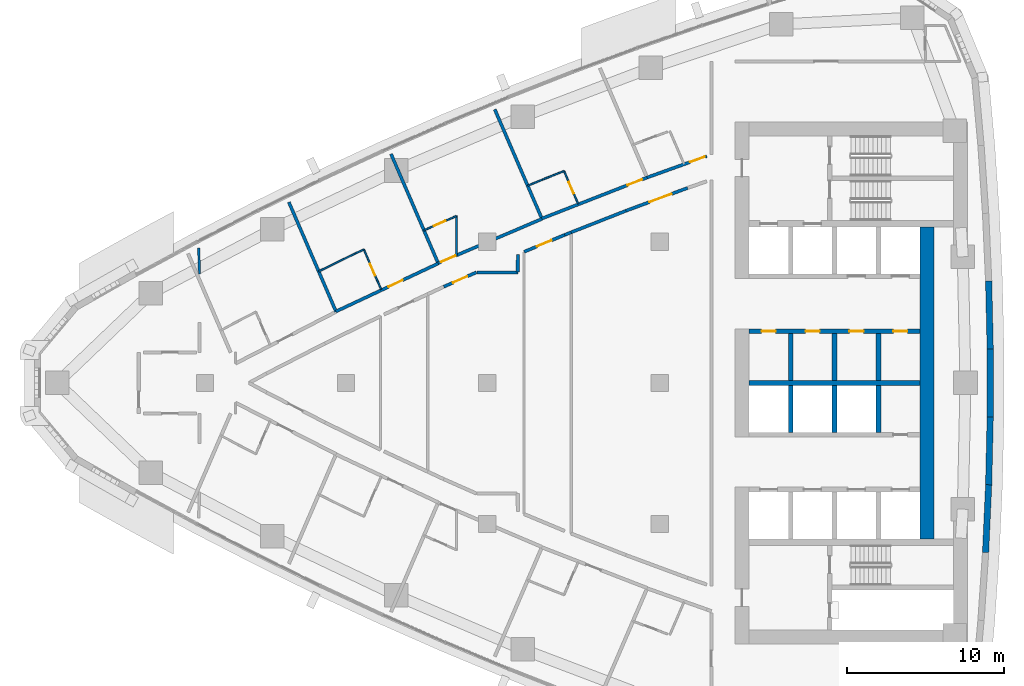
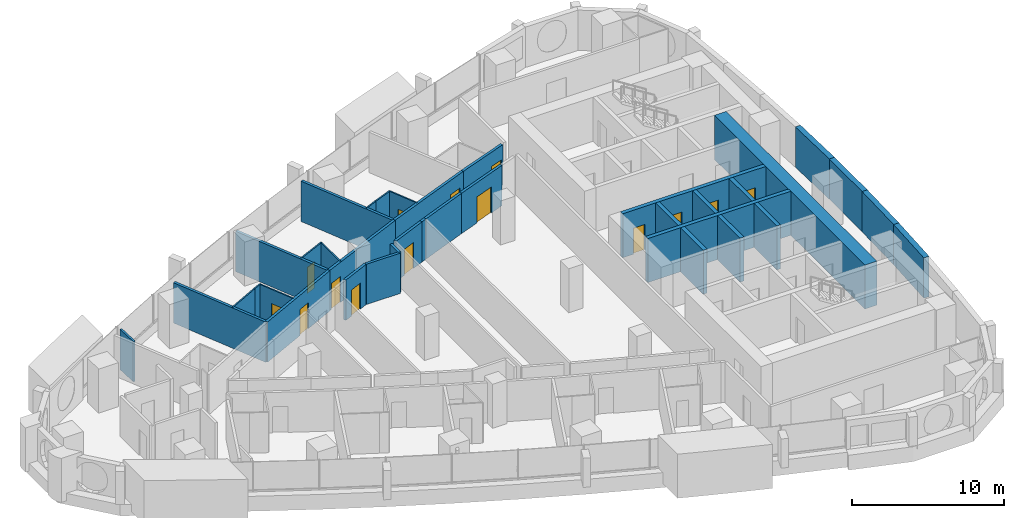
# One storey, part 11 of 17: 36 walls, 14 doors, 14 openings.
"""IFC4 building model written with IfcOpenShell, lengths in metres."""

from ifc_helpers import new_model, si_unit, direction, frame, frame_2d, origin, place, context, subcontext, project, spatial, polyline, rectangle, outline, extrude, material, layer, layer_set, type_object, element, fill, save


model = new_model("IFC4")

# Units and contexts
model_context = context("Model", 3, precision=1e-05, world=origin(), true_north=direction((0.0, 1.0)))
body_context = subcontext(model_context, "Body", "Model", "MODEL_VIEW")
ifc_project = project(units=[si_unit("LENGTHUNIT", "METRE"), si_unit("AREAUNIT", "SQUARE_METRE"), si_unit("VOLUMEUNIT", "CUBIC_METRE"), si_unit("PLANEANGLEUNIT", "RADIAN"), si_unit("MASSUNIT", "GRAM", prefix="KILO")], contexts=[model_context])

# Site, building, storey
site_placement = place(None, origin())
site = spatial("IfcSite", under=ifc_project, at=site_placement, CompositionType="ELEMENT")
building_placement = place(site_placement, origin())
building = spatial("IfcBuilding", under=site, at=building_placement, Name="Ostrand Prow Hotel Tower", CompositionType="ELEMENT")
storey_placement = place(building_placement, frame((0.0, 0.0, 140.85009765625)))
storey = spatial("IfcBuildingStorey", under=building, at=storey_placement, Name="L34", CompositionType="ELEMENT", Elevation=140.85009765625)

# Wall
ifc_material_1 = material(Name="Concrete C70/85", Category="concrete")
ifc_layer_1 = layer(ifc_material_1, 0.300048828125)
ifc_layer_set_1 = layer_set([ifc_layer_1], Name="Concrete C70/85")
wall_type_1 = type_object("IfcWallType", Name="Core wall 300 C70/85", PredefinedType="SHEAR", material=ifc_layer_set_1)
wall_1_placement = place(storey_placement, frame((50.699951171875, 0.0, 0.0), z_axis=(0.0, 0.0, 1.0), x_axis=(1.0, 0.0, 0.0)))
element("IfcWall", 1, at=wall_1_placement, inside=storey, type_object=wall_type_1, Name="Core wall PW-C", PredefinedType="SHEAR", context=body_context, shape_type="SweptSolid", body=[
    extrude(rectangle(XDim=10.900146484375, YDim=0.300048828125, at=frame_2d((5.4501953125, 0.0))), origin(), (0.0, 0.0, 1.0), 3.5498046875),
])

# Wall, openings, doors
wall_2_placement = place(storey_placement, frame((50.699951171875, 3.300048828125, 0.0), z_axis=(0.0, 0.0, 1.0), x_axis=(1.0, 0.0, 0.0)))
wall_2 = element("IfcWall", 2, at=wall_2_placement, inside=storey, type_object=wall_type_1, Name="Core wall PW-L1-N", PredefinedType="SHEAR", context=body_context, shape_type="SweptSolid", body=[
    extrude(rectangle(XDim=10.900146484375, YDim=0.300048828125, at=frame_2d((5.4501953125, 0.0))), origin(), (0.0, 0.0, 1.0), 3.5498046875),
])
opening_1_placement = place(wall_2_placement, frame((0.800048828125, 0.0, 0.0)))
opening_1 = element("IfcOpeningElement", 3, at=opening_1_placement, cuts=wall_2, Name="Opening FD2", PredefinedType="OPENING", context=body_context, shape_type="SweptSolid", body=[
    extrude(rectangle(XDim=0.89990234375, YDim=2.10009765625, at=frame_2d((0.449951171875, 1.050048828125))), frame((0.0, 0.159912109375, 0.0), z_axis=(0.0, -1.0, 0.0), x_axis=(1.0, 0.0, 0.0)), (0.0, 0.0, 1.0), 0.320068359375),
])
opening_2_placement = place(wall_2_placement, frame((3.60009765625, 0.0, 0.0)))
opening_2 = element("IfcOpeningElement", 4, at=opening_2_placement, cuts=wall_2, Name="Opening FD2", PredefinedType="OPENING", context=body_context, shape_type="SweptSolid", body=[
    extrude(rectangle(XDim=0.89990234375, YDim=2.10009765625, at=frame_2d((0.449951171875, 1.050048828125))), frame((0.0, 0.159912109375, 0.0), z_axis=(0.0, -1.0, 0.0), x_axis=(1.0, 0.0, 0.0)), (0.0, 0.0, 1.0), 0.320068359375),
])
opening_3_placement = place(wall_2_placement, frame((6.39990234375, 0.0, 0.0)))
opening_3 = element("IfcOpeningElement", 5, at=opening_3_placement, cuts=wall_2, Name="Opening FD2", PredefinedType="OPENING", context=body_context, shape_type="SweptSolid", body=[
    extrude(rectangle(XDim=0.89990234375, YDim=2.10009765625, at=frame_2d((0.449951171875, 1.050048828125))), frame((0.0, 0.159912109375, 0.0), z_axis=(0.0, -1.0, 0.0), x_axis=(1.0, 0.0, 0.0)), (0.0, 0.0, 1.0), 0.320068359375),
])
opening_4_placement = place(wall_2_placement, frame((9.199951171875, 0.0, 0.0)))
opening_4 = element("IfcOpeningElement", 6, at=opening_4_placement, cuts=wall_2, Name="Opening FD2", PredefinedType="OPENING", context=body_context, shape_type="SweptSolid", body=[
    extrude(rectangle(XDim=0.89990234375, YDim=2.10009765625, at=frame_2d((0.449951171875, 1.050048828125))), frame((0.0, 0.159912109375, 0.0), z_axis=(0.0, -1.0, 0.0), x_axis=(1.0, 0.0, 0.0)), (0.0, 0.0, 1.0), 0.320068359375),
])
ifc_material_2 = material(Name="Steel fire door", Category="steel")
door_type_1 = type_object("IfcDoorType", Name="Fire door 900 EI120", OperationType="SINGLE_SWING_LEFT", PredefinedType="DOOR", material=ifc_material_2)
door_1_placement = place(opening_1_placement, origin())
door_1 = element("IfcDoor", 7, at=door_1_placement, inside=storey, type_object=door_type_1, Name="DOOR", OperationType="SINGLE_SWING_LEFT", OverallHeight=2.10009765625, OverallWidth=0.89990234375, PredefinedType="DOOR", context=body_context, shape_type="SweptSolid", body=[
    extrude(rectangle(XDim=0.89990234375, YDim=2.10009765625, at=frame_2d((0.449951171875, 1.050048828125))), frame((0.0, 0.02490234375, 0.0), z_axis=(0.0, -1.0, 0.0), x_axis=(1.0, 0.0, 0.0)), (0.0, 0.0, 1.0), 0.050048828125),
])
fill(opening_1, door_1)
door_2_placement = place(opening_2_placement, origin())
door_2 = element("IfcDoor", 8, at=door_2_placement, inside=storey, type_object=door_type_1, Name="DOOR", OperationType="SINGLE_SWING_LEFT", OverallHeight=2.10009765625, OverallWidth=0.89990234375, PredefinedType="DOOR", context=body_context, shape_type="SweptSolid", body=[
    extrude(rectangle(XDim=0.89990234375, YDim=2.10009765625, at=frame_2d((0.449951171875, 1.050048828125))), frame((0.0, 0.02490234375, 0.0), z_axis=(0.0, -1.0, 0.0), x_axis=(1.0, 0.0, 0.0)), (0.0, 0.0, 1.0), 0.050048828125),
])
fill(opening_2, door_2)
door_3_placement = place(opening_3_placement, origin())
door_3 = element("IfcDoor", 9, at=door_3_placement, inside=storey, type_object=door_type_1, Name="DOOR", OperationType="SINGLE_SWING_LEFT", OverallHeight=2.10009765625, OverallWidth=0.89990234375, PredefinedType="DOOR", context=body_context, shape_type="SweptSolid", body=[
    extrude(rectangle(XDim=0.89990234375, YDim=2.10009765625, at=frame_2d((0.449951171875, 1.050048828125))), frame((0.0, 0.02490234375, 0.0), z_axis=(0.0, -1.0, 0.0), x_axis=(1.0, 0.0, 0.0)), (0.0, 0.0, 1.0), 0.050048828125),
])
fill(opening_3, door_3)
door_4_placement = place(opening_4_placement, origin())
door_4 = element("IfcDoor", 10, at=door_4_placement, inside=storey, type_object=door_type_1, Name="DOOR", OperationType="SINGLE_SWING_LEFT", OverallHeight=2.10009765625, OverallWidth=0.89990234375, PredefinedType="DOOR", context=body_context, shape_type="SweptSolid", body=[
    extrude(rectangle(XDim=0.89990234375, YDim=2.10009765625, at=frame_2d((0.449951171875, 1.050048828125))), frame((0.0, 0.02490234375, 0.0), z_axis=(0.0, -1.0, 0.0), x_axis=(1.0, 0.0, 0.0)), (0.0, 0.0, 1.0), 0.050048828125),
])
fill(opening_4, door_4)

# Walls
for number, where, z_axis, x_axis, name in (
    (11, (53.35009765625, 0.14990234375, 0.0), (0.0, 0.0, 1.0), (0.0, 1.0, 0.0), "Core wall PW-R1-NB"),
    (12, (56.14990234375, 0.14990234375, 0.0), (0.0, 0.0, 1.0), (0.0, 1.0, 0.0), "Core wall PW-R2-NB"),
    (13, (58.949951171875, 0.14990234375, 0.0), (0.0, 0.0, 1.0), (0.0, 1.0, 0.0), "Core wall PW-R3-NB"),
    (14, (53.35009765625, -3.14990234375, 0.0), (0.0, 0.0, 1.0), (0.0, 1.0, 0.0), "Core wall PW-R1-SB"),
    (15, (56.14990234375, -3.14990234375, 0.0), (0.0, 0.0, 1.0), (0.0, 1.0, 0.0), "Core wall PW-R2-SB"),
    (16, (58.949951171875, -3.14990234375, 0.0), (0.0, 0.0, 1.0), (0.0, 1.0, 0.0), "Core wall PW-R3-SB"),
):
    element("IfcWall", number, at=place(storey_placement, frame(where, z_axis=z_axis, x_axis=x_axis)), inside=storey, type_object=wall_type_1, Name=name, PredefinedType="SHEAR", context=body_context, shape_type="SweptSolid", body=[
        extrude(rectangle(XDim=3.0, YDim=0.300048828125, at=frame_2d((1.5, 0.0))), origin(), (0.0, 0.0, 1.0), 3.5498046875),
    ])
ifc_material_3 = material(Name="Concrete C70/85", Category="concrete")
ifc_layer_2 = layer(ifc_material_3, 0.89990234375)
ifc_layer_set_2 = layer_set([ifc_layer_2], Name="Concrete C70/85")
wall_type_2 = type_object("IfcWallType", Name="Core wall 900 C70/85", PredefinedType="SHEAR", material=ifc_layer_set_2)
wall_3_placement = place(storey_placement, frame((62.050048828125, -9.949951171875, 0.0), z_axis=(0.0, 0.0, 1.0), x_axis=(0.0, 1.0, 0.0)))
element("IfcWall", 17, at=wall_3_placement, inside=storey, type_object=wall_type_2, Name="Core wall CW-E-C", PredefinedType="SHEAR", context=body_context, shape_type="SweptSolid", body=[
    extrude(rectangle(XDim=19.89990234375, YDim=0.89990234375, at=frame_2d((9.949951171875, 0.0))), origin(), (0.0, 0.0, 1.0), 3.5498046875),
])
ifc_material_4 = material(Name="Plasterboard partition")
ifc_layer_3 = layer(ifc_material_4, 0.10009765625)
ifc_layer_set_3 = layer_set([ifc_layer_3], Name="Plasterboard partition")
wall_type_3 = type_object("IfcWallType", Name="Partition 100 bathroom wall", PredefinedType="PARTITIONING", material=ifc_layer_set_3)
wall_4_placement = place(storey_placement, frame((23.25732421875, 7.113037109375, 0.0), z_axis=(0.0, 0.0, 1.0), x_axis=(0.89814200952, 0.439705504555, 0.0)))
element("IfcWall", 18, at=wall_4_placement, inside=storey, type_object=wall_type_3, Name="BATHROOM WALL", PredefinedType="PARTITIONING", context=body_context, shape_type="SweptSolid", body=[
    extrude(rectangle(XDim=2.580810546875, YDim=0.10009765625, at=frame_2d((1.29052734375, 0.0))), origin(), (0.0, 0.0, 1.0), 3.25),
])
wall_5_placement = place(storey_placement, frame((25.5751953125, 8.247802734375, 0.0), z_axis=(0.0, 0.0, 1.0), x_axis=(0.906923333349, 0.421295700699, 0.0)))
element("IfcWall", 19, at=wall_5_placement, inside=storey, type_object=wall_type_3, Name="BATHROOM WALL", PredefinedType="PARTITIONING", context=body_context, shape_type="SweptSolid", body=[
    extrude(rectangle(XDim=0.622314453125, YDim=0.10009765625, at=frame_2d((0.31103515625, 0.0))), origin(), (0.0, 0.0, 1.0), 3.25),
])

# Wall, opening, door
wall_6_placement = place(storey_placement, frame((26.139892578125, 8.510009765625, 0.0), z_axis=(0.0, 0.0, 1.0), x_axis=(0.396018464604, -0.918242547311, 0.0)))
wall_6 = element("IfcWall", 20, at=wall_6_placement, inside=storey, type_object=wall_type_3, Name="BATHROOM WALL", PredefinedType="PARTITIONING", context=body_context, shape_type="SweptSolid", body=[
    extrude(rectangle(XDim=2.77783203125, YDim=0.10009765625, at=frame_2d((1.388916015625, 0.0))), origin(), (0.0, 0.0, 1.0), 3.25),
])
opening_5_placement = place(wall_6_placement, frame((1.0, 0.0, 0.0)))
opening_5 = element("IfcOpeningElement", 21, at=opening_5_placement, cuts=wall_6, Name="Opening D2", PredefinedType="OPENING", context=body_context, shape_type="SweptSolid", body=[
    extrude(rectangle(XDim=0.800048828125, YDim=2.10009765625, at=frame_2d((0.39990234375, 1.050048828125))), frame((0.0, 0.06005859375, 0.0), z_axis=(0.0, -1.0, 0.0), x_axis=(1.0, 0.0, 0.0)), (0.0, 0.0, 1.0), 0.1201171875),
])
ifc_material_5 = material(Name="Timber door leaf", Category="wood")
door_type_2 = type_object("IfcDoorType", Name="Bathroom door 800", OperationType="SINGLE_SWING_LEFT", PredefinedType="DOOR", material=ifc_material_5)
door_5_placement = place(opening_5_placement, origin())
door_5 = element("IfcDoor", 22, at=door_5_placement, inside=storey, type_object=door_type_2, Name="DOOR", OperationType="SINGLE_SWING_LEFT", OverallHeight=2.10009765625, OverallWidth=0.800048828125, PredefinedType="DOOR", context=body_context, shape_type="SweptSolid", body=[
    extrude(rectangle(XDim=0.800048828125, YDim=2.10009765625, at=frame_2d((0.39990234375, 1.050048828125))), frame((0.0, 0.02490234375, 0.0), z_axis=(0.0, -1.0, 0.0), x_axis=(1.0, 0.0, 0.0)), (0.0, 0.0, 1.0), 0.050048828125),
])
fill(opening_5, door_5)

wall_7_placement = place(storey_placement, frame((29.96923828125, 9.7314453125, 0.0), z_axis=(0.0, 0.0, 1.0), x_axis=(0.915118086658, 0.403185921719, 0.0)))
wall_7 = element("IfcWall", 23, at=wall_7_placement, inside=storey, type_object=wall_type_3, Name="BATHROOM WALL", PredefinedType="PARTITIONING", context=body_context, shape_type="SweptSolid", body=[
    extrude(rectangle(XDim=2.24951171875, YDim=0.10009765625, at=frame_2d((1.124755859375, 0.0))), origin(), (0.0, 0.0, 1.0), 3.25),
])
opening_6_placement = place(wall_7_placement, frame((0.699951171875, 0.0, 0.0)))
opening_6 = element("IfcOpeningElement", 24, at=opening_6_placement, cuts=wall_7, Name="Opening D2", PredefinedType="OPENING", context=body_context, shape_type="SweptSolid", body=[
    extrude(rectangle(XDim=0.800048828125, YDim=2.10009765625, at=frame_2d((0.39990234375, 1.050048828125))), frame((0.0, 0.06005859375, 0.0), z_axis=(0.0, -1.0, 0.0), x_axis=(1.0, 0.0, 0.0)), (0.0, 0.0, 1.0), 0.1201171875),
])
door_6_placement = place(opening_6_placement, origin())
door_6 = element("IfcDoor", 25, at=door_6_placement, inside=storey, type_object=door_type_2, Name="DOOR", OperationType="SINGLE_SWING_LEFT", OverallHeight=2.10009765625, OverallWidth=0.800048828125, PredefinedType="DOOR", context=body_context, shape_type="SweptSolid", body=[
    extrude(rectangle(XDim=0.800048828125, YDim=2.10009765625, at=frame_2d((0.39990234375, 1.050048828125))), frame((0.0, 0.02490234375, 0.0), z_axis=(0.0, -1.0, 0.0), x_axis=(1.0, 0.0, 0.0)), (0.0, 0.0, 1.0), 0.050048828125),
])
fill(opening_6, door_6)

# Walls
wall_8_placement = place(storey_placement, frame((36.584228515625, 12.574462890625, 0.0), z_axis=(0.0, 0.0, 1.0), x_axis=(0.923026834192, 0.384735575897, 0.0)))
element("IfcWall", 26, at=wall_8_placement, inside=storey, type_object=wall_type_3, Name="BATHROOM WALL", PredefinedType="PARTITIONING", context=body_context, shape_type="SweptSolid", body=[
    extrude(rectangle(XDim=1.009521484375, YDim=0.10009765625, at=frame_2d((0.5048828125, 0.0))), origin(), (0.0, 0.0, 1.0), 3.25),
])
wall_9_placement = place(storey_placement, frame((37.51611328125, 12.962890625, 0.0), z_axis=(0.0, 0.0, 1.0), x_axis=(0.930584239012, 0.366077825199, 0.0)))
element("IfcWall", 27, at=wall_9_placement, inside=storey, type_object=wall_type_3, Name="BATHROOM WALL", PredefinedType="PARTITIONING", context=body_context, shape_type="SweptSolid", body=[
    extrude(rectangle(XDim=1.4912109375, YDim=0.10009765625, at=frame_2d((0.74560546875, 0.0))), origin(), (0.0, 0.0, 1.0), 3.25),
])

# Wall, opening, door
wall_10_placement = place(storey_placement, frame((38.90380859375, 13.5087890625, 0.0), z_axis=(0.0, 0.0, 1.0), x_axis=(0.396000751487, -0.918250186399, 0.0)))
wall_10 = element("IfcWall", 28, at=wall_10_placement, inside=storey, type_object=wall_type_3, Name="BATHROOM WALL", PredefinedType="PARTITIONING", context=body_context, shape_type="SweptSolid", body=[
    extrude(rectangle(XDim=2.278076171875, YDim=0.10009765625, at=frame_2d((1.13916015625, 0.0))), origin(), (0.0, 0.0, 1.0), 3.25),
])
opening_7_placement = place(wall_10_placement, frame((0.75, 0.0, 0.0)))
opening_7 = element("IfcOpeningElement", 29, at=opening_7_placement, cuts=wall_10, Name="Opening D2", PredefinedType="OPENING", context=body_context, shape_type="SweptSolid", body=[
    extrude(rectangle(XDim=0.800048828125, YDim=2.10009765625, at=frame_2d((0.39990234375, 1.050048828125))), frame((0.0, 0.06005859375, 0.0), z_axis=(0.0, -1.0, 0.0), x_axis=(1.0, 0.0, 0.0)), (0.0, 0.0, 1.0), 0.1201171875),
])
door_7_placement = place(opening_7_placement, origin())
door_7 = element("IfcDoor", 30, at=door_7_placement, inside=storey, type_object=door_type_2, Name="DOOR", OperationType="SINGLE_SWING_LEFT", OverallHeight=2.10009765625, OverallWidth=0.800048828125, PredefinedType="DOOR", context=body_context, shape_type="SweptSolid", body=[
    extrude(rectangle(XDim=0.800048828125, YDim=2.10009765625, at=frame_2d((0.39990234375, 1.050048828125))), frame((0.0, 0.02490234375, 0.0), z_axis=(0.0, -1.0, 0.0), x_axis=(1.0, 0.0, 0.0)), (0.0, 0.0, 1.0), 0.050048828125),
])
fill(opening_7, door_7)

# Walls
wall_11_placement = place(storey_placement, frame((32.044921875, 10.6611328125, 0.0), z_axis=(0.0, 0.0, 1.0), x_axis=(0.0, -1.0, 0.0)))
element("IfcWall", 31, at=wall_11_placement, inside=storey, type_object=wall_type_3, Name="BATHROOM WALL", PredefinedType="PARTITIONING", context=body_context, shape_type="SweptSolid", body=[
    extrude(rectangle(XDim=2.52294921875, YDim=0.10009765625, at=frame_2d((1.261474609375, 0.0))), origin(), (0.0, 0.0, 1.0), 3.25),
])
ifc_material_6 = material(Name="Plasterboard partition")
ifc_layer_4 = layer(ifc_material_6, 0.14990234375)
ifc_layer_set_4 = layer_set([ifc_layer_4], Name="Plasterboard partition")
wall_type_4 = type_object("IfcWallType", Name="Partition 150 room partition", PredefinedType="PARTITIONING", material=ifc_layer_set_4)
wall_12_placement = place(storey_placement, frame((15.603759765625, 8.60888671875, 0.0), z_axis=(0.0, 0.0, 1.0), x_axis=(0.033196927484, -0.999448830109, 0.0)))
element("IfcWall", 32, at=wall_12_placement, inside=storey, type_object=wall_type_4, Name="ROOM PARTITION", PredefinedType="PARTITIONING", context=body_context, shape_type="SweptSolid", body=[
    extrude(rectangle(XDim=1.65478515625, YDim=0.14990234375, at=frame_2d((0.827392578125, 0.0))), origin(), (0.0, 0.0, 1.0), 3.25),
])

# Wall, opening, door
ifc_material_7 = material(Name="Plasterboard partition")
ifc_layer_5 = layer(ifc_material_7, 0.199951171875)
ifc_layer_set_5 = layer_set([ifc_layer_5], Name="Plasterboard partition")
wall_type_5 = type_object("IfcWallType", Name="Partition 200 corridor wall", PredefinedType="PARTITIONING", material=ifc_layer_set_5)
wall_13_placement = place(storey_placement, frame((24.359619140625, 4.557373046875, 0.0), z_axis=(0.0, 0.0, 1.0), x_axis=(0.905157912263, 0.425075468439, 0.0)))
wall_13 = element("IfcWall", 33, at=wall_13_placement, inside=storey, type_object=wall_type_5, Name="CORRIDOR WALL", PredefinedType="PARTITIONING", context=body_context, shape_type="SweptSolid", body=[
    extrude(rectangle(XDim=7.203369140625, YDim=0.199951171875, at=frame_2d((3.6015625, 0.0))), origin(), (0.0, 0.0, 1.0), 3.25),
])
opening_8_placement = place(wall_13_placement, frame((3.699951171875, 0.0, 0.0)))
opening_8 = element("IfcOpeningElement", 34, at=opening_8_placement, cuts=wall_13, Name="Opening D1", PredefinedType="OPENING", context=body_context, shape_type="SweptSolid", body=[
    extrude(rectangle(XDim=1.0, YDim=2.10009765625, at=frame_2d((0.5, 1.050048828125))), frame((0.0, 0.10986328125, 0.0), z_axis=(0.0, -1.0, 0.0), x_axis=(1.0, 0.0, 0.0)), (0.0, 0.0, 1.0), 0.219970703125),
])
ifc_material_8 = material(Name="Timber door leaf", Category="wood")
door_type_3 = type_object("IfcDoorType", Name="Guest room door 1000", OperationType="SINGLE_SWING_LEFT", PredefinedType="DOOR", material=ifc_material_8)
door_8_placement = place(opening_8_placement, origin())
door_8 = element("IfcDoor", 35, at=door_8_placement, inside=storey, type_object=door_type_3, Name="DOOR", OperationType="SINGLE_SWING_LEFT", OverallHeight=2.10009765625, OverallWidth=1.0, PredefinedType="DOOR", context=body_context, shape_type="SweptSolid", body=[
    extrude(rectangle(XDim=1.0, YDim=2.10009765625, at=frame_2d((0.5, 1.050048828125))), frame((0.0, 0.02490234375, 0.0), z_axis=(0.0, -1.0, 0.0), x_axis=(1.0, 0.0, 0.0)), (0.0, 0.0, 1.0), 0.050048828125),
])
fill(opening_8, door_8)

wall_14_placement = place(storey_placement, frame((30.8720703125, 7.6376953125, 0.0), z_axis=(0.0, 0.0, 1.0), x_axis=(0.919834621271, 0.392306346509, 0.0)))
wall_14 = element("IfcWall", 36, at=wall_14_placement, inside=storey, type_object=wall_type_5, Name="CORRIDOR WALL", PredefinedType="PARTITIONING", context=body_context, shape_type="SweptSolid", body=[
    extrude(rectangle(XDim=7.2001953125, YDim=0.199951171875, at=frame_2d((3.60009765625, 0.0))), origin(), (0.0, 0.0, 1.0), 3.25),
])
opening_9_placement = place(wall_14_placement, frame((0.199951171875, 0.0, 0.0)))
opening_9 = element("IfcOpeningElement", 37, at=opening_9_placement, cuts=wall_14, Name="Opening D1", PredefinedType="OPENING", context=body_context, shape_type="SweptSolid", body=[
    extrude(rectangle(XDim=1.0, YDim=2.10009765625, at=frame_2d((0.5, 1.050048828125))), frame((0.0, 0.10986328125, 0.0), z_axis=(0.0, -1.0, 0.0), x_axis=(1.0, 0.0, 0.0)), (0.0, 0.0, 1.0), 0.219970703125),
])
door_9_placement = place(opening_9_placement, origin())
door_9 = element("IfcDoor", 38, at=door_9_placement, inside=storey, type_object=door_type_3, Name="DOOR", OperationType="SINGLE_SWING_LEFT", OverallHeight=2.10009765625, OverallWidth=1.0, PredefinedType="DOOR", context=body_context, shape_type="SweptSolid", body=[
    extrude(rectangle(XDim=1.0, YDim=2.10009765625, at=frame_2d((0.5, 1.050048828125))), frame((0.0, 0.02490234375, 0.0), z_axis=(0.0, -1.0, 0.0), x_axis=(1.0, 0.0, 0.0)), (0.0, 0.0, 1.0), 0.050048828125),
])
fill(opening_9, door_9)

wall_15_placement = place(storey_placement, frame((44.19921875, 13.098388671875, 0.0), z_axis=(0.0, 0.0, 1.0), x_axis=(-0.931657652296, -0.363337334882, 0.0)))
wall_15 = element("IfcWall", 39, at=wall_15_placement, inside=storey, type_object=wall_type_5, Name="CORRIDOR WALL", PredefinedType="PARTITIONING", context=body_context, shape_type="SweptSolid", body=[
    extrude(rectangle(XDim=7.20458984375, YDim=0.199951171875, at=frame_2d((3.602294921875, 0.0))), origin(), (0.0, 0.0, 1.0), 3.25),
])
opening_10_placement = place(wall_15_placement, frame((0.35009765625, 0.0, 0.0)))
opening_10 = element("IfcOpeningElement", 40, at=opening_10_placement, cuts=wall_15, Name="Opening D1", PredefinedType="OPENING", context=body_context, shape_type="SweptSolid", body=[
    extrude(rectangle(XDim=1.0, YDim=2.10009765625, at=frame_2d((0.5, 1.050048828125))), frame((0.0, 0.10986328125, 0.0), z_axis=(0.0, -1.0, 0.0), x_axis=(1.0, 0.0, 0.0)), (0.0, 0.0, 1.0), 0.219970703125),
])
door_10_placement = place(opening_10_placement, origin())
door_10 = element("IfcDoor", 41, at=door_10_placement, inside=storey, type_object=door_type_3, Name="DOOR", OperationType="SINGLE_SWING_LEFT", OverallHeight=2.10009765625, OverallWidth=1.0, PredefinedType="DOOR", context=body_context, shape_type="SweptSolid", body=[
    extrude(rectangle(XDim=1.0, YDim=2.10009765625, at=frame_2d((0.5, 1.050048828125))), frame((0.0, 0.02490234375, 0.0), z_axis=(0.0, -1.0, 0.0), x_axis=(1.0, 0.0, 0.0)), (0.0, 0.0, 1.0), 0.050048828125),
])
fill(opening_10, door_10)

wall_16_placement = place(storey_placement, frame((31.231201171875, 6.135009765625, 0.0), z_axis=(0.0, 0.0, 1.0), x_axis=(0.915102334452, 0.403221672881, 0.0)))
wall_16 = element("IfcWall", 42, at=wall_16_placement, inside=storey, type_object=wall_type_5, Name="CORRIDOR WALL", PredefinedType="PARTITIONING", context=body_context, shape_type="SweptSolid", body=[
    extrude(rectangle(XDim=2.269287109375, YDim=0.199951171875, at=frame_2d((1.134765625, 0.0))), origin(), (0.0, 0.0, 1.0), 3.25),
])
opening_11_placement = place(wall_16_placement, frame((0.634521484375, 0.0, 0.0)))
opening_11 = element("IfcOpeningElement", 43, at=opening_11_placement, cuts=wall_16, Name="Opening D1", PredefinedType="OPENING", context=body_context, shape_type="SweptSolid", body=[
    extrude(rectangle(XDim=1.0, YDim=2.10009765625, at=frame_2d((0.5, 1.050048828125))), frame((0.0, 0.10986328125, 0.0), z_axis=(0.0, -1.0, 0.0), x_axis=(1.0, 0.0, 0.0)), (0.0, 0.0, 1.0), 0.219970703125),
])
door_11_placement = place(opening_11_placement, origin())
door_11 = element("IfcDoor", 44, at=door_11_placement, inside=storey, type_object=door_type_3, Name="DOOR", OperationType="SINGLE_SWING_LEFT", OverallHeight=2.10009765625, OverallWidth=1.0, PredefinedType="DOOR", context=body_context, shape_type="SweptSolid", body=[
    extrude(rectangle(XDim=1.0, YDim=2.10009765625, at=frame_2d((0.5, 1.050048828125))), frame((0.0, 0.02490234375, 0.0), z_axis=(0.0, -1.0, 0.0), x_axis=(1.0, 0.0, 0.0)), (0.0, 0.0, 1.0), 0.050048828125),
])
fill(opening_11, door_11)

wall_17_placement = place(storey_placement, frame((36.35302734375, 8.361083984375, 0.0), z_axis=(0.0, 0.0, 1.0), x_axis=(0.922997109092, 0.384806882224, 0.0)))
wall_17 = element("IfcWall", 45, at=wall_17_placement, inside=storey, type_object=wall_type_5, Name="CORRIDOR WALL", PredefinedType="PARTITIONING", context=body_context, shape_type="SweptSolid", body=[
    extrude(rectangle(XDim=2.80615234375, YDim=0.199951171875, at=frame_2d((1.403076171875, 0.0))), origin(), (0.0, 0.0, 1.0), 3.25),
])
opening_12_placement = place(wall_17_placement, frame((0.903076171875, 0.0, 0.0)))
opening_12 = element("IfcOpeningElement", 46, at=opening_12_placement, cuts=wall_17, Name="Opening D1R", PredefinedType="OPENING", context=body_context, shape_type="SweptSolid", body=[
    extrude(rectangle(XDim=1.0, YDim=2.10009765625, at=frame_2d((0.5, 1.050048828125))), frame((0.0, 0.10986328125, 0.0), z_axis=(0.0, -1.0, 0.0), x_axis=(1.0, 0.0, 0.0)), (0.0, 0.0, 1.0), 0.219970703125),
])
ifc_material_9 = material(Name="Timber door leaf", Category="wood")
door_type_4 = type_object("IfcDoorType", Name="Guest room door 1000 right", OperationType="SINGLE_SWING_RIGHT", PredefinedType="DOOR", material=ifc_material_9)
door_12_placement = place(opening_12_placement, origin())
door_12 = element("IfcDoor", 47, at=door_12_placement, inside=storey, type_object=door_type_4, Name="DOOR", OperationType="SINGLE_SWING_RIGHT", OverallHeight=2.10009765625, OverallWidth=1.0, PredefinedType="DOOR", context=body_context, shape_type="SweptSolid", body=[
    extrude(rectangle(XDim=1.0, YDim=2.10009765625, at=frame_2d((0.5, 1.050048828125))), frame((0.0, 0.02490234375, 0.0), z_axis=(0.0, -1.0, 0.0), x_axis=(1.0, 0.0, 0.0)), (0.0, 0.0, 1.0), 0.050048828125),
])
fill(opening_12, door_12)

wall_18_placement = place(storey_placement, frame((42.84716796875, 10.976806640625, 0.0), z_axis=(0.0, 0.0, 1.0), x_axis=(0.937732614305, 0.347357948044, 0.0)))
wall_18 = element("IfcWall", 48, at=wall_18_placement, inside=storey, type_object=wall_type_5, Name="CORRIDOR WALL", PredefinedType="PARTITIONING", context=body_context, shape_type="SweptSolid", body=[
    extrude(rectangle(XDim=4.1953125, YDim=0.199951171875, at=frame_2d((2.09765625, 0.0))), origin(), (0.0, 0.0, 1.0), 3.25),
])
opening_13_placement = place(wall_18_placement, frame((1.59765625, 0.0, 0.0)))
opening_13 = element("IfcOpeningElement", 49, at=opening_13_placement, cuts=wall_18, Name="Opening D15", PredefinedType="OPENING", context=body_context, shape_type="SweptSolid", body=[
    extrude(rectangle(XDim=1.5, YDim=2.10009765625, at=frame_2d((0.75, 1.050048828125))), frame((0.0, 0.10986328125, 0.0), z_axis=(0.0, -1.0, 0.0), x_axis=(1.0, 0.0, 0.0)), (0.0, 0.0, 1.0), 0.219970703125),
])
ifc_material_10 = material(Name="Timber door leaf", Category="wood")
door_type_5 = type_object("IfcDoorType", Name="Double door 1500", OperationType="DOUBLE_DOOR_SINGLE_SWING", PredefinedType="DOOR", material=ifc_material_10)
door_13_placement = place(opening_13_placement, origin())
door_13 = element("IfcDoor", 50, at=door_13_placement, inside=storey, type_object=door_type_5, Name="DOOR", OperationType="DOUBLE_DOOR_SINGLE_SWING", OverallHeight=2.10009765625, OverallWidth=1.5, PredefinedType="DOOR", context=body_context, shape_type="SweptSolid", body=[
    extrude(rectangle(XDim=1.5, YDim=2.10009765625, at=frame_2d((0.75, 1.050048828125))), frame((0.0, 0.02490234375, 0.0), z_axis=(0.0, -1.0, 0.0), x_axis=(1.0, 0.0, 0.0)), (0.0, 0.0, 1.0), 0.050048828125),
])
fill(opening_13, door_13)

# Wall
wall_19_placement = place(storey_placement, frame((39.35302734375, 9.60205078125, 0.0), z_axis=(0.0, 0.0, 1.0), x_axis=(0.930564862228, 0.366127077921, 0.0)))
element("IfcWall", 51, at=wall_19_placement, inside=storey, type_object=wall_type_5, Name="CORRIDOR WALL", PredefinedType="PARTITIONING", context=body_context, shape_type="SweptSolid", body=[
    extrude(rectangle(XDim=3.7548828125, YDim=0.199951171875, at=frame_2d((1.87744140625, 0.0))), origin(), (0.0, 0.0, 1.0), 3.25),
])

# Wall, opening, door
wall_20_placement = place(storey_placement, frame((48.0, 14.463623046875, 0.0), z_axis=(0.0, 0.0, 1.0), x_axis=(-0.941127615579, -0.338051491927, 0.0)))
wall_20 = element("IfcWall", 52, at=wall_20_placement, inside=storey, type_object=wall_type_5, Name="CORRIDOR WALL", PredefinedType="PARTITIONING", context=body_context, shape_type="SweptSolid", body=[
    extrude(rectangle(XDim=4.03857421875, YDim=0.199951171875, at=frame_2d((2.019287109375, 0.0))), origin(), (0.0, 0.0, 1.0), 3.25),
])
opening_14_placement = place(wall_20_placement, frame((0.131103515625, 0.0, 0.0)))
opening_14 = element("IfcOpeningElement", 53, at=opening_14_placement, cuts=wall_20, Name="Opening D1", PredefinedType="OPENING", context=body_context, shape_type="SweptSolid", body=[
    extrude(rectangle(XDim=1.0, YDim=2.10009765625, at=frame_2d((0.5, 1.050048828125))), frame((0.0, 0.10986328125, 0.0), z_axis=(0.0, -1.0, 0.0), x_axis=(1.0, 0.0, 0.0)), (0.0, 0.0, 1.0), 0.219970703125),
])
door_14_placement = place(opening_14_placement, origin())
door_14 = element("IfcDoor", 54, at=door_14_placement, inside=storey, type_object=door_type_3, Name="DOOR", OperationType="SINGLE_SWING_LEFT", OverallHeight=2.10009765625, OverallWidth=1.0, PredefinedType="DOOR", context=body_context, shape_type="SweptSolid", body=[
    extrude(rectangle(XDim=1.0, YDim=2.10009765625, at=frame_2d((0.5, 1.050048828125))), frame((0.0, 0.02490234375, 0.0), z_axis=(0.0, -1.0, 0.0), x_axis=(1.0, 0.0, 0.0)), (0.0, 0.0, 1.0), 0.050048828125),
])
fill(opening_14, door_14)

# Walls
wall_21_placement = place(storey_placement, frame((33.347412109375, 7.044921875, 0.0), z_axis=(0.0, 0.0, 1.0), x_axis=(0.999999982426, 0.000187476562, 0.0)))
element("IfcWall", 55, at=wall_21_placement, inside=storey, type_object=wall_type_5, Name="CORRIDOR WALL", PredefinedType="PARTITIONING", context=body_context, shape_type="SweptSolid", body=[
    extrude(rectangle(XDim=2.6044921875, YDim=0.199951171875, at=frame_2d((1.30224609375, 0.0))), origin(), (0.0, 0.0, 1.0), 3.25),
])
wall_22_placement = place(storey_placement, frame((35.951904296875, 7.08544921875, 0.0), z_axis=(0.0, 0.0, 1.0), x_axis=(0.002873551354, 0.999995871343, 0.0)))
element("IfcWall", 56, at=wall_22_placement, inside=storey, type_object=wall_type_5, Name="CORRIDOR WALL", PredefinedType="PARTITIONING", context=body_context, shape_type="SweptSolid", body=[
    extrude(rectangle(XDim=1.1044921875, YDim=0.199951171875, at=frame_2d((0.55224609375, 0.0))), origin(), (0.0, 0.0, 1.0), 3.25),
])
wall_23_placement = place(storey_placement, frame((38.943115234375, 9.44091796875, 0.0), z_axis=(0.0, 0.0, 1.0), x_axis=(0.930677362884, 0.365841012212, 0.0)))
element("IfcWall", 57, at=wall_23_placement, inside=storey, type_object=wall_type_5, Name="CORRIDOR WALL", PredefinedType="PARTITIONING", context=body_context, shape_type="SweptSolid", body=[
    extrude(rectangle(XDim=0.4404296875, YDim=0.199951171875, at=frame_2d((0.22021484375, 0.0))), origin(), (0.0, 0.0, 1.0), 3.25),
])
ifc_material_11 = material(Name="Plasterboard partition")
ifc_layer_6 = layer(ifc_material_11, 0.199951171875)
ifc_layer_set_6 = layer_set([ifc_layer_6], Name="Plasterboard partition")
wall_type_6 = type_object("IfcWallType", Name="Partition 200 key partition", PredefinedType="PARTITIONING", material=ifc_layer_set_6)
wall_24_placement = place(storey_placement, frame((24.367431640625, 4.5390625, 0.0), z_axis=(0.0, 0.0, 1.0), x_axis=(-0.395982367396, 0.918258114427, 0.0)))
element("IfcWall", 58, at=wall_24_placement, inside=storey, type_object=wall_type_6, Name="KEY PARTITION", PredefinedType="PARTITIONING", context=body_context, shape_type="SweptSolid", body=[
    extrude(rectangle(XDim=7.60888671875, YDim=0.199951171875, at=frame_2d((3.804443359375, 0.0))), origin(), (0.0, 0.0, 1.0), 3.25),
])
wall_25_placement = place(storey_placement, frame((30.8798828125, 7.619384765625, 0.0), z_axis=(0.0, 0.0, 1.0), x_axis=(-0.395976934703, 0.91826045716, 0.0)))
element("IfcWall", 59, at=wall_25_placement, inside=storey, type_object=wall_type_6, Name="KEY PARTITION", PredefinedType="PARTITIONING", context=body_context, shape_type="SweptSolid", body=[
    extrude(rectangle(XDim=7.600341796875, YDim=0.199951171875, at=frame_2d((3.80029296875, 0.0))), origin(), (0.0, 0.0, 1.0), 3.25),
])
wall_26_placement = place(storey_placement, frame((37.4951171875, 10.46240234375, 0.0), z_axis=(0.0, 0.0, 1.0), x_axis=(-0.396019423722, 0.918242133664, 0.0)))
element("IfcWall", 60, at=wall_26_placement, inside=storey, type_object=wall_type_6, Name="KEY PARTITION", PredefinedType="PARTITIONING", context=body_context, shape_type="SweptSolid", body=[
    extrude(rectangle(XDim=7.6005859375, YDim=0.199951171875, at=frame_2d((3.80029296875, 0.0))), origin(), (0.0, 0.0, 1.0), 3.25),
])
ifc_material_12 = material(Name="Precast concrete C40/50", Category="concrete")
ifc_layer_7 = layer(ifc_material_12, 0.39990234375)
ifc_layer_set_7 = layer_set([ifc_layer_7], Name="Precast concrete C40/50")
wall_type_7 = type_object("IfcWallType", Name="Stone-faced precast wall 400 mm", PredefinedType="NOTDEFINED", material=ifc_layer_set_7)
wall_27_placement = place(storey_placement, frame((65.781982421875, -10.81689453125, 0.0), z_axis=(0.0, 0.0, 1.0), x_axis=(0.045228592312, 0.99897666361, 0.0)))
element("IfcWall", 61, at=wall_27_placement, inside=storey, type_object=wall_type_7, Name="Stone-faced wall back 7", PredefinedType="NOTDEFINED", context=body_context, shape_type="SweptSolid", body=[
    extrude(outline(polyline([(-0.002197265625, -0.199951171875), (4.331298828125, -0.199951171875), (4.326904296875, 0.199951171875), (0.002197265625, 0.199951171875), (-0.002197265625, -0.199951171875)])), origin(), (0.0, 0.0, 1.0), 3.25),
])
wall_28_placement = place(storey_placement, frame((65.977783203125, -6.4921875, 0.0), z_axis=(0.0, 0.0, 1.0), x_axis=(0.02261635063, 0.99974421763, 0.0)))
element("IfcWall", 62, at=wall_28_placement, inside=storey, type_object=wall_type_7, Name="Stone-faced wall back 8", PredefinedType="NOTDEFINED", context=body_context, shape_type="SweptSolid", body=[
    extrude(outline(polyline([(-0.002197265625, -0.199951171875), (4.3310546875, -0.199951171875), (4.32666015625, 0.199951171875), (0.002197265625, 0.199951171875), (-0.002197265625, -0.199951171875)])), origin(), (0.0, 0.0, 1.0), 3.25),
])
wall_29_placement = place(storey_placement, frame((66.07568359375, -2.16455078125, 0.0), z_axis=(0.0, 0.0, 1.0), x_axis=(0.0, 1.0, 0.0)))
element("IfcWall", 63, at=wall_29_placement, inside=storey, type_object=wall_type_7, Name="Stone-faced wall back 9", PredefinedType="NOTDEFINED", context=body_context, shape_type="SweptSolid", body=[
    extrude(outline(polyline([(-0.002197265625, -0.199951171875), (4.331298828125, -0.199951171875), (4.326904296875, 0.199951171875), (0.002197265625, 0.199951171875), (-0.002197265625, -0.199951171875)])), origin(), (0.0, 0.0, 1.0), 3.25),
])
wall_30_placement = place(storey_placement, frame((66.07568359375, 2.16455078125, 0.0), z_axis=(0.0, 0.0, 1.0), x_axis=(-0.02261635063, 0.99974421763, 0.0)))
element("IfcWall", 64, at=wall_30_placement, inside=storey, type_object=wall_type_7, Name="Stone-faced wall back 10", PredefinedType="NOTDEFINED", context=body_context, shape_type="SweptSolid", body=[
    extrude(outline(polyline([(-0.002197265625, -0.199951171875), (4.3310546875, -0.199951171875), (4.32666015625, 0.199951171875), (0.002197265625, 0.199951171875), (-0.002197265625, -0.199951171875)])), origin(), (0.0, 0.0, 1.0), 3.25),
])

save(model, "model.ifc")
